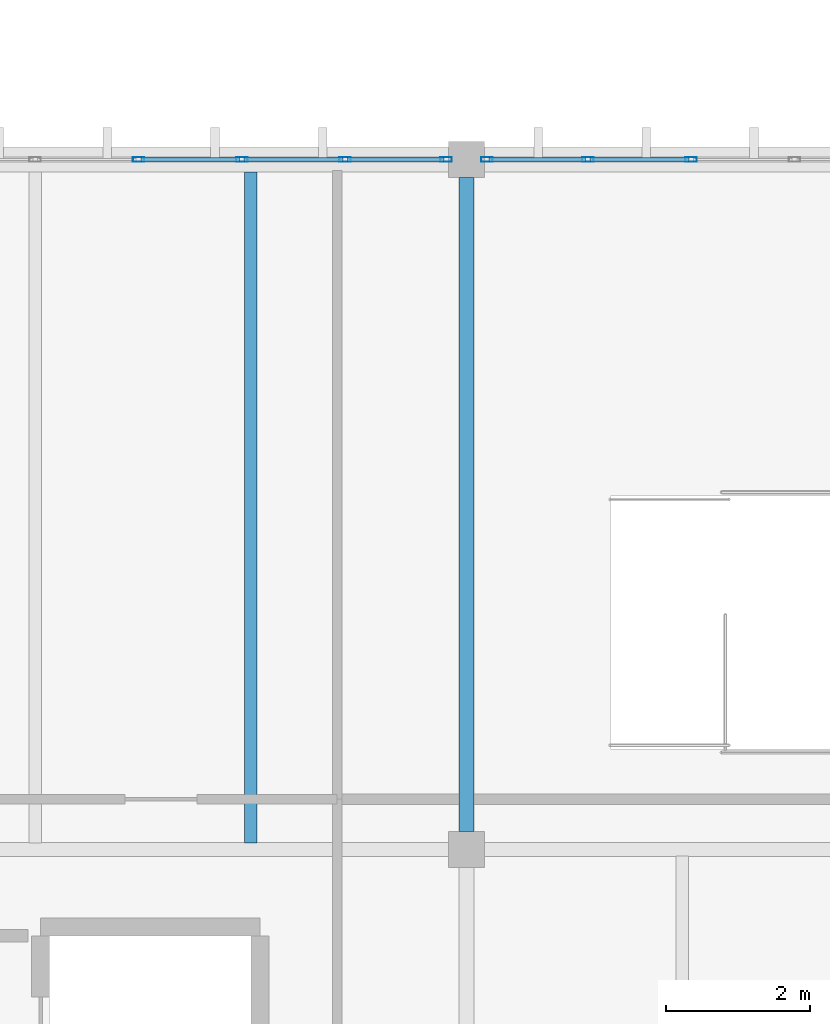
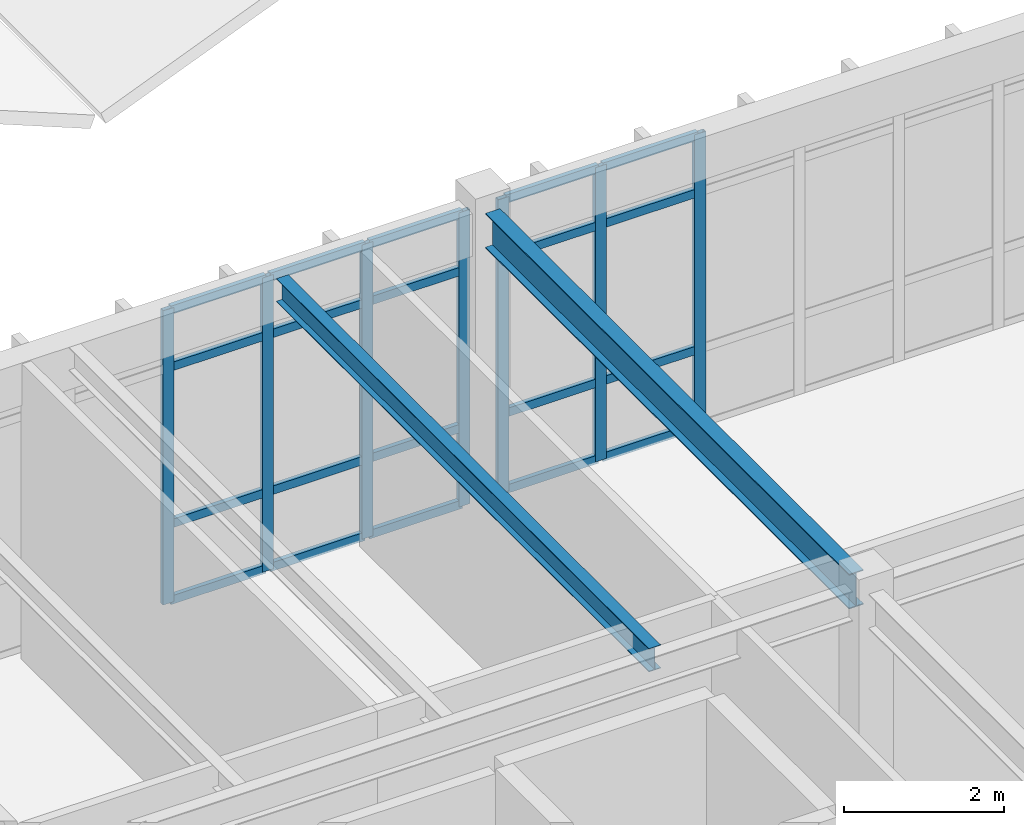
# One storey, part 19 of 236: 27 members, 2 beams, 2 elements without a shape of their own.
"""IFC4 building model written with IfcOpenShell, lengths in metres."""

import ifcopenshell
import ifcopenshell.guid

model = None  # the IFC model being written
_history = None  # IfcOwnerHistory: only IFC2X3 demands one
_inside = {}  # id of a spatial element -> (the spatial element, [elements in it])
_under = {}  # id of a project, library or spatial element -> (it, [spatial elements below it])
_declared = {}  # id of a project -> (the project, [libraries it declares])
_typed = {}  # id of a type object -> (the type object, [elements of that type])
_made_of = {}  # id of a material, layer set ... -> (it, [elements and type objects made of it])


def new_model(schema):
    """Start an empty IFC model of exactly this schema.

    Asked for "IFC4X3", IfcOpenShell would pick the latest addendum, in which some entities
    have other attributes; the version numbers below select the first issue.
    IFC2X3 requires an IfcOwnerHistory on every rooted entity: one is made here for all.
    """
    global model, _history
    if schema == "IFC4X3":
        model = ifcopenshell.file(schema_version=(4, 3, 0, 0))
    else:
        model = ifcopenshell.file(schema=schema)
    _inside.clear()
    _under.clear()
    _declared.clear()
    _typed.clear()
    _made_of.clear()
    _history = None
    if model.schema == "IFC2X3":
        org = make("IfcOrganization", Name="unknown")
        user = make(
            "IfcPersonAndOrganization",
            ThePerson=make("IfcPerson", FamilyName="unknown"),
            TheOrganization=org,
        )
        app = make(
            "IfcApplication",
            ApplicationDeveloper=org,
            Version="unknown",
            ApplicationFullName="unknown",
            ApplicationIdentifier="unknown",
        )
        _history = make(
            "IfcOwnerHistory",
            OwningUser=user,
            OwningApplication=app,
            ChangeAction="ADDED",
            CreationDate=0,
        )
    return model


def make(cls, **values):
    """One entity of the class cls with the attributes given. An attribute that is None is left unset."""
    return model.create_entity(
        cls, **{name: value for name, value in values.items() if value is not None}
    )


def rooted(cls, **values):
    """An entity with a GlobalId (a new one), such as an element, a storey or a relation."""
    return make(cls, GlobalId=ifcopenshell.guid.new(), OwnerHistory=_history, **values)


def si_unit(unit_type, name, prefix=None):
    """IfcSIUnit, for example si_unit("LENGTHUNIT", "METRE", prefix="MILLI")."""
    return make("IfcSIUnit", UnitType=unit_type, Prefix=prefix, Name=name)


def assignment(units):
    """IfcUnitAssignment: the units of a project."""
    return None if units is None else make("IfcUnitAssignment", Units=units)


def point(xyz):
    """IfcCartesianPoint."""
    return None if xyz is None else make("IfcCartesianPoint", Coordinates=xyz)


def direction(xyz):
    """IfcDirection."""
    return None if xyz is None else make("IfcDirection", DirectionRatios=xyz)


def frame(location, z_axis=None, x_axis=None):
    """IfcAxis2Placement3D, a coordinate frame: its origin and axes. An axis left out is left unset."""
    return make(
        "IfcAxis2Placement3D",
        Location=point(location),
        Axis=direction(z_axis),
        RefDirection=direction(x_axis),
    )


def frame_2d(location, x_axis=None):
    """IfcAxis2Placement2D, a coordinate frame in the plane: its origin and x axis."""
    return make(
        "IfcAxis2Placement2D", Location=point(location), RefDirection=direction(x_axis)
    )


def origin():
    """The frame at (0, 0, 0) with its axes left unset."""
    return frame((0.0, 0.0, 0.0))


def origin_2d():
    """The frame at (0, 0) in the plane with its x axis left unset."""
    return frame_2d((0.0, 0.0))


def place(relative_to, where):
    """IfcLocalPlacement: puts the frame where relative to a parent placement (None: the world)."""
    return make(
        "IfcLocalPlacement", PlacementRelTo=relative_to, RelativePlacement=where
    )


def context(
    kind, dimensions, precision=None, world=None, true_north=None, identifier=None
):
    """IfcGeometricRepresentationContext, for example the 3D "Model" context."""
    return make(
        "IfcGeometricRepresentationContext",
        ContextIdentifier=identifier,
        ContextType=kind,
        CoordinateSpaceDimension=dimensions,
        Precision=precision,
        WorldCoordinateSystem=world,
        TrueNorth=true_north,
    )


def subcontext(parent, identifier, kind, view, scale=None):
    """IfcGeometricRepresentationSubContext, for example "Body" below "Model"."""
    return make(
        "IfcGeometricRepresentationSubContext",
        ContextIdentifier=identifier,
        ContextType=kind,
        ParentContext=parent,
        TargetScale=scale,
        TargetView=view,
    )


def project(units=None, contexts=None):
    """IfcProject with its units and contexts."""
    return rooted(
        "IfcProject",
        Name="project",
        RepresentationContexts=contexts,
        UnitsInContext=assignment(units),
    )


def spatial(cls, under=None, at=None, **own):
    """A site, building, storey or space (cls), placed at a placement, below another one or the project."""
    s = rooted(cls, ObjectPlacement=at, **own)
    if under is not None:
        _under.setdefault(under.id(), (under, []))[1].append(s)
    return s


def profile(cls, at=None, kind="AREA", **sizes):
    """A parametric profile (cls). Its sizes go by their IFC names, for example OverallWidth=200.0."""
    return make(cls, ProfileType=kind, Position=at, **sizes)


def hollow_rectangle(**sizes):
    """IfcRectangleHollowProfileDef."""
    return profile("IfcRectangleHollowProfileDef", **sizes)


def i_section(**sizes):
    """IfcIShapeProfileDef."""
    return profile("IfcIShapeProfileDef", **sizes)


def extrude(swept, where, along, depth):
    """IfcExtrudedAreaSolid: the profile swept, set in the frame where, extruded along a direction by depth."""
    return make(
        "IfcExtrudedAreaSolid",
        SweptArea=swept,
        Position=where,
        ExtrudedDirection=direction(along),
        Depth=depth,
    )


def shape(context_of_items, identifier, shape_type, items):
    """IfcShapeRepresentation: the items that make up one representation, for example the "Body"."""
    return make(
        "IfcShapeRepresentation",
        ContextOfItems=context_of_items,
        RepresentationIdentifier=identifier,
        RepresentationType=shape_type,
        Items=items,
    )


def material(Name=None, Category=None):
    """IfcMaterial."""
    return make("IfcMaterial", Name=Name, Category=Category)


def layer(
    of_material, thickness, ventilated=None, Name=None, Category=None, Priority=None
):
    """IfcMaterialLayer: one layer of a wall or slab, of a material (None: an air gap)."""
    return make(
        "IfcMaterialLayer",
        Material=of_material,
        LayerThickness=thickness,
        IsVentilated=ventilated,
        Name=Name,
        Category=Category,
        Priority=Priority,
    )


def layer_set(layers, Name=None):
    """IfcMaterialLayerSet."""
    return make("IfcMaterialLayerSet", MaterialLayers=layers, LayerSetName=Name)


def material_profile(
    of_material, cross_section, Name=None, Category=None, Priority=None
):
    """IfcMaterialProfile: a cross section and its material."""
    return make(
        "IfcMaterialProfile",
        Name=Name,
        Material=of_material,
        Profile=cross_section,
        Priority=Priority,
        Category=Category,
    )


def profile_set(profiles, Name=None, composite=None):
    """IfcMaterialProfileSet."""
    return make(
        "IfcMaterialProfileSet",
        Name=Name,
        MaterialProfiles=profiles,
        CompositeProfile=composite,
    )


def made_of(thing, what):
    """Note that an element or type object is made of a material, layer set ...; save() writes the relation."""
    if what is not None:
        _made_of.setdefault(what.id(), (what, []))[1].append(thing)
    return thing


def type_object(cls, material=None, **own):
    """A type object (cls), such as IfcWallType, which elements share."""
    return made_of(rooted(cls, **own), material)


def element(
    cls,
    number,
    at=None,
    inside=None,
    cuts=None,
    type_object=None,
    material=None,
    context=None,
    identifier="Body",
    shape_type=None,
    held_by="IfcProductDefinitionShape",
    body=None,
    shapes=None,
    **own,
):
    """One element of the class cls, such as IfcWall. Its Tag is "e" and its number.

    at: its placement. inside: the storey or other place that contains it. cuts: it is an
    opening in that element (IfcRelVoidsElement). A single representation is given by context,
    identifier, shape_type and body (its items); several are given by shapes. held_by: the class
    of the entity that holds the representations. save() writes the other relations.
    """
    e = rooted(cls, Tag="e%d" % number, ObjectPlacement=at, **own)
    if body is not None:
        shapes = [shape(context, identifier, shape_type, body)]
    if shapes is not None:
        e.Representation = make(held_by, Representations=shapes)
    if inside is not None:
        _inside.setdefault(inside.id(), (inside, []))[1].append(e)
    if cuts is not None:
        rooted(
            "IfcRelVoidsElement", RelatingBuildingElement=cuts, RelatedOpeningElement=e
        )
    if type_object is not None:
        _typed.setdefault(type_object.id(), (type_object, []))[1].append(e)
    return made_of(e, material)


def aggregate(whole, parts):
    """IfcRelAggregates: a whole, such as a stair, and the parts it consists of."""
    return rooted("IfcRelAggregates", RelatingObject=whole, RelatedObjects=parts)


def save(model, path):
    """Write the relations noted so far, then the file.

    IfcRelAggregates (storeys below a building ...), IfcRelContainedInSpatialStructure (elements
    in a storey), IfcRelDefinesByType, IfcRelAssociatesMaterial and IfcRelDeclares: one each for
    every whole, place, type object, material and project.
    """
    for whole, parts in _under.values():
        aggregate(whole, parts)
    for where, things in _inside.values():
        rooted(
            "IfcRelContainedInSpatialStructure",
            RelatedElements=things,
            RelatingStructure=where,
        )
    for kind, things in _typed.values():
        rooted("IfcRelDefinesByType", RelatedObjects=things, RelatingType=kind)
    for what, things in _made_of.values():
        rooted("IfcRelAssociatesMaterial", RelatedObjects=things, RelatingMaterial=what)
    for by, libraries in _declared.values():
        rooted("IfcRelDeclares", RelatingContext=by, RelatedDefinitions=libraries)
    model.write(path)


model = new_model("IFC4")

# Units and contexts
model_context = context("Model", 3, precision=1e-05, world=origin(), true_north=direction((0.0, 1.0)))
body_context = subcontext(model_context, "Body", "Model", "MODEL_VIEW")
ifc_project = project(units=[si_unit("LENGTHUNIT", "METRE"), si_unit("AREAUNIT", "SQUARE_METRE"), si_unit("VOLUMEUNIT", "CUBIC_METRE"), si_unit("PLANEANGLEUNIT", "RADIAN"), si_unit("MASSUNIT", "GRAM", prefix="KILO")], contexts=[model_context])

# Site, building, storey
site_placement = place(None, origin())
site = spatial("IfcSite", under=ifc_project, at=site_placement, CompositionType="ELEMENT")
building_placement = place(site_placement, origin())
building = spatial("IfcBuilding", under=site, at=building_placement, Name="Pandanus Reach Market Hall", CompositionType="ELEMENT")
storey_placement = place(building_placement, frame((0.0, 0.0, 5.39990234375)))
storey = spatial("IfcBuildingStorey", under=building, at=storey_placement, Name="L01", CompositionType="ELEMENT", Elevation=5.39990234375)

# Beam
ifc_material_1 = material(Name="Steel Grade 350 (350 MPa)", Category="steel")
ifc_material_profile_1 = material_profile(ifc_material_1, i_section(OverallWidth=0.208984375, OverallDepth=0.532958984375, WebThickness=0.01025390625, FlangeThickness=0.015625, at=origin_2d()), Name="530UB92.4", Category="LoadBearing")
ifc_profile_set_1 = profile_set([ifc_material_profile_1], Name="Steel Grade 350 (350 MPa)")
beam_type_1 = type_object("IfcBeamType", Name="BM-UB530-I", PredefinedType="BEAM", material=ifc_profile_set_1)
beam_1_placement = place(storey_placement, frame((12.0, 19.447998046875, 4.268310546875), z_axis=(0.0, 1.0, 0.0), x_axis=(-1.0, 0.0, 0.0)))
element("IfcBeam", 1, at=beam_1_placement, inside=storey, type_object=beam_type_1, Name="Framing beam BM-UB530-I L01.983", PredefinedType="BEAM", context=body_context, shape_type="SweptSolid", body=[
    extrude(i_section(OverallWidth=0.208984375, OverallDepth=0.532958984375, WebThickness=0.01025390625, FlangeThickness=0.015625, at=origin_2d()), origin(), (0.0, 0.0, 1.0), 9.10400390625),
])

# Curtain wall, members
ifc_material_2 = material(Name="Bronze anodised aluminium and low-E glass", Category="aluminium")
ifc_layer = layer(ifc_material_2, 0.159912109375, Name="CW-17")
ifc_layer_set = layer_set([ifc_layer], Name="Bronze anodised aluminium and low-E glass")
curtain_wall_type = type_object("IfcCurtainWallType", Name="CW-17", PredefinedType="NOTDEFINED", material=ifc_layer_set)
curtain_wall_1_placement = place(storey_placement, origin())
curtain_wall_1 = element("IfcCurtainWall", 2, at=curtain_wall_1_placement, inside=storey, type_object=curtain_wall_type, Name="Glazed curtain wall CW-17 CW-0057", PredefinedType="NOTDEFINED")
ifc_material_3 = material(Name="Bronze anodised aluminium", Category="aluminium")
ifc_material_profile_2 = material_profile(ifc_material_3, hollow_rectangle(XDim=0.06494140625, YDim=0.159912109375, WallThickness=0.00390625, at=origin_2d()), Name="ALU65x160", Category="LoadBearing")
ifc_profile_set_2 = profile_set([ifc_material_profile_2], Name="Bronze anodised aluminium")
member_type_1 = type_object("IfcMemberType", Name="CW-M1", PredefinedType="MULLION", material=ifc_profile_set_2)
member_1_placement = place(storey_placement, frame((7.4375, 28.800048828125, 0.0), z_axis=(0.0, 0.0, 1.0), x_axis=(0.0, 1.0, 0.0)))
member_1 = element("IfcMember", 3, at=member_1_placement, type_object=member_type_1, Name="CW-17 mullion 6", PredefinedType="MULLION", context=body_context, shape_type="SweptSolid", body=[
    extrude(hollow_rectangle(XDim=0.06494140625, YDim=0.159912109375, WallThickness=0.00390625, at=origin_2d()), origin(), (0.0, 0.0, 1.0), 4.5),
])
member_2_placement = place(storey_placement, frame((8.875, 28.800048828125, 0.0), z_axis=(0.0, 0.0, 1.0), x_axis=(0.0, 1.0, 0.0)))
member_2 = element("IfcMember", 4, at=member_2_placement, type_object=member_type_1, Name="CW-17 mullion 7", PredefinedType="MULLION", context=body_context, shape_type="SweptSolid", body=[
    extrude(hollow_rectangle(XDim=0.06494140625, YDim=0.159912109375, WallThickness=0.00390625, at=origin_2d()), origin(), (0.0, 0.0, 1.0), 4.5),
])
member_3_placement = place(storey_placement, frame((10.3125, 28.800048828125, 0.0), z_axis=(0.0, 0.0, 1.0), x_axis=(0.0, 1.0, 0.0)))
member_3 = element("IfcMember", 5, at=member_3_placement, type_object=member_type_1, Name="CW-17 mullion 8", PredefinedType="MULLION", context=body_context, shape_type="SweptSolid", body=[
    extrude(hollow_rectangle(XDim=0.06494140625, YDim=0.159912109375, WallThickness=0.00390625, at=origin_2d()), origin(), (0.0, 0.0, 1.0), 4.5),
])
member_4_placement = place(storey_placement, frame((11.717529296875, 28.800048828125, 0.0), z_axis=(0.0, 0.0, 1.0), x_axis=(0.0, 1.0, 0.0)))
member_4 = element("IfcMember", 6, at=member_4_placement, type_object=member_type_1, Name="CW-17 mullion 9", PredefinedType="MULLION", context=body_context, shape_type="SweptSolid", body=[
    extrude(hollow_rectangle(XDim=0.06494140625, YDim=0.159912109375, WallThickness=0.00390625, at=origin_2d()), origin(), (0.0, 0.0, 1.0), 4.5),
])

curtain_wall_2_placement = place(storey_placement, origin())
curtain_wall_2 = element("IfcCurtainWall", 7, at=curtain_wall_2_placement, inside=storey, type_object=curtain_wall_type, Name="Glazed curtain wall CW-17 CW-0058", PredefinedType="NOTDEFINED")
member_5_placement = place(storey_placement, frame((12.282470703125, 28.800048828125, 0.0), z_axis=(0.0, 0.0, 1.0), x_axis=(0.0, 1.0, 0.0)))
member_5 = element("IfcMember", 8, at=member_5_placement, type_object=member_type_1, Name="CW-17 mullion 1", PredefinedType="MULLION", context=body_context, shape_type="SweptSolid", body=[
    extrude(hollow_rectangle(XDim=0.06494140625, YDim=0.159912109375, WallThickness=0.00390625, at=origin_2d()), origin(), (0.0, 0.0, 1.0), 4.5),
])
member_6_placement = place(storey_placement, frame((13.6875, 28.800048828125, 0.0), z_axis=(0.0, 0.0, 1.0), x_axis=(0.0, 1.0, 0.0)))
member_6 = element("IfcMember", 9, at=member_6_placement, type_object=member_type_1, Name="CW-17 mullion 2", PredefinedType="MULLION", context=body_context, shape_type="SweptSolid", body=[
    extrude(hollow_rectangle(XDim=0.06494140625, YDim=0.159912109375, WallThickness=0.00390625, at=origin_2d()), origin(), (0.0, 0.0, 1.0), 4.5),
])
member_7_placement = place(storey_placement, frame((15.125, 28.800048828125, 0.0), z_axis=(0.0, 0.0, 1.0), x_axis=(0.0, 1.0, 0.0)))
member_7 = element("IfcMember", 10, at=member_7_placement, type_object=member_type_1, Name="CW-17 mullion 3", PredefinedType="MULLION", context=body_context, shape_type="SweptSolid", body=[
    extrude(hollow_rectangle(XDim=0.06494140625, YDim=0.159912109375, WallThickness=0.00390625, at=origin_2d()), origin(), (0.0, 0.0, 1.0), 4.5),
])

# Member
ifc_material_profile_3 = material_profile(ifc_material_3, hollow_rectangle(XDim=0.06494140625, YDim=0.1298828125, WallThickness=0.00390625, at=origin_2d()), Name="ALU65x130", Category="LoadBearing")
ifc_profile_set_3 = profile_set([ifc_material_profile_3], Name="Bronze anodised aluminium")
member_type_2 = type_object("IfcMemberType", Name="CW-T1", PredefinedType="USERDEFINED", material=ifc_profile_set_3)
member_8_placement = place(storey_placement, frame((7.469970703125, 28.800048828125, 0.03271484375), z_axis=(1.0, 0.0, 0.0), x_axis=(0.0, 1.0, 0.0)))
member_8 = element("IfcMember", 11, at=member_8_placement, type_object=member_type_2, Name="CW-17 transom 6.1", ObjectType="TRANSOM", PredefinedType="USERDEFINED", context=body_context, shape_type="SweptSolid", body=[
    extrude(hollow_rectangle(XDim=0.06494140625, YDim=0.1298828125, WallThickness=0.00390625, at=origin_2d()), origin(), (0.0, 0.0, 1.0), 1.37255859375),
])

member_9_placement = place(storey_placement, frame((7.469970703125, 28.800048828125, 1.2001953125), z_axis=(1.0, 0.0, 0.0), x_axis=(0.0, 1.0, 0.0)))
member_9 = element("IfcMember", 12, at=member_9_placement, type_object=member_type_2, Name="CW-17 transom 6.2", ObjectType="TRANSOM", PredefinedType="USERDEFINED", context=body_context, shape_type="SweptSolid", body=[
    extrude(hollow_rectangle(XDim=0.06494140625, YDim=0.1298828125, WallThickness=0.00390625, at=origin_2d()), origin(), (0.0, 0.0, 1.0), 1.37255859375),
])

member_10_placement = place(storey_placement, frame((7.469970703125, 28.800048828125, 3.60009765625), z_axis=(1.0, 0.0, 0.0), x_axis=(0.0, 1.0, 0.0)))
member_10 = element("IfcMember", 13, at=member_10_placement, type_object=member_type_2, Name="CW-17 transom 6.3", ObjectType="TRANSOM", PredefinedType="USERDEFINED", context=body_context, shape_type="SweptSolid", body=[
    extrude(hollow_rectangle(XDim=0.06494140625, YDim=0.1298828125, WallThickness=0.00390625, at=origin_2d()), origin(), (0.0, 0.0, 1.0), 1.37255859375),
])

member_11_placement = place(storey_placement, frame((7.469970703125, 28.800048828125, 4.467529296875), z_axis=(1.0, 0.0, 0.0), x_axis=(0.0, 1.0, 0.0)))
member_11 = element("IfcMember", 14, at=member_11_placement, type_object=member_type_2, Name="CW-17 transom 6.4", ObjectType="TRANSOM", PredefinedType="USERDEFINED", context=body_context, shape_type="SweptSolid", body=[
    extrude(hollow_rectangle(XDim=0.06494140625, YDim=0.1298828125, WallThickness=0.00390625, at=origin_2d()), origin(), (0.0, 0.0, 1.0), 1.37255859375),
])

member_12_placement = place(storey_placement, frame((8.907470703125, 28.800048828125, 0.03271484375), z_axis=(1.0, 0.0, 0.0), x_axis=(0.0, 1.0, 0.0)))
member_12 = element("IfcMember", 15, at=member_12_placement, type_object=member_type_2, Name="CW-17 transom 7.1", ObjectType="TRANSOM", PredefinedType="USERDEFINED", context=body_context, shape_type="SweptSolid", body=[
    extrude(hollow_rectangle(XDim=0.06494140625, YDim=0.1298828125, WallThickness=0.00390625, at=origin_2d()), origin(), (0.0, 0.0, 1.0), 1.37255859375),
])

member_13_placement = place(storey_placement, frame((8.907470703125, 28.800048828125, 1.2001953125), z_axis=(1.0, 0.0, 0.0), x_axis=(0.0, 1.0, 0.0)))
member_13 = element("IfcMember", 16, at=member_13_placement, type_object=member_type_2, Name="CW-17 transom 7.2", ObjectType="TRANSOM", PredefinedType="USERDEFINED", context=body_context, shape_type="SweptSolid", body=[
    extrude(hollow_rectangle(XDim=0.06494140625, YDim=0.1298828125, WallThickness=0.00390625, at=origin_2d()), origin(), (0.0, 0.0, 1.0), 1.37255859375),
])

member_14_placement = place(storey_placement, frame((8.907470703125, 28.800048828125, 3.60009765625), z_axis=(1.0, 0.0, 0.0), x_axis=(0.0, 1.0, 0.0)))
member_14 = element("IfcMember", 17, at=member_14_placement, type_object=member_type_2, Name="CW-17 transom 7.3", ObjectType="TRANSOM", PredefinedType="USERDEFINED", context=body_context, shape_type="SweptSolid", body=[
    extrude(hollow_rectangle(XDim=0.06494140625, YDim=0.1298828125, WallThickness=0.00390625, at=origin_2d()), origin(), (0.0, 0.0, 1.0), 1.37255859375),
])

member_15_placement = place(storey_placement, frame((8.907470703125, 28.800048828125, 4.467529296875), z_axis=(1.0, 0.0, 0.0), x_axis=(0.0, 1.0, 0.0)))
member_15 = element("IfcMember", 18, at=member_15_placement, type_object=member_type_2, Name="CW-17 transom 7.4", ObjectType="TRANSOM", PredefinedType="USERDEFINED", context=body_context, shape_type="SweptSolid", body=[
    extrude(hollow_rectangle(XDim=0.06494140625, YDim=0.1298828125, WallThickness=0.00390625, at=origin_2d()), origin(), (0.0, 0.0, 1.0), 1.37255859375),
])

member_16_placement = place(storey_placement, frame((10.344970703125, 28.800048828125, 0.03271484375), z_axis=(1.0, 0.0, 0.0), x_axis=(0.0, 1.0, 0.0)))
member_16 = element("IfcMember", 19, at=member_16_placement, type_object=member_type_2, Name="CW-17 transom 8.1", ObjectType="TRANSOM", PredefinedType="USERDEFINED", context=body_context, shape_type="SweptSolid", body=[
    extrude(hollow_rectangle(XDim=0.06494140625, YDim=0.1298828125, WallThickness=0.00390625, at=origin_2d()), origin(), (0.0, 0.0, 1.0), 1.340087890625),
])

member_17_placement = place(storey_placement, frame((10.344970703125, 28.800048828125, 1.2001953125), z_axis=(1.0, 0.0, 0.0), x_axis=(0.0, 1.0, 0.0)))
member_17 = element("IfcMember", 20, at=member_17_placement, type_object=member_type_2, Name="CW-17 transom 8.2", ObjectType="TRANSOM", PredefinedType="USERDEFINED", context=body_context, shape_type="SweptSolid", body=[
    extrude(hollow_rectangle(XDim=0.06494140625, YDim=0.1298828125, WallThickness=0.00390625, at=origin_2d()), origin(), (0.0, 0.0, 1.0), 1.340087890625),
])

member_18_placement = place(storey_placement, frame((10.344970703125, 28.800048828125, 3.60009765625), z_axis=(1.0, 0.0, 0.0), x_axis=(0.0, 1.0, 0.0)))
member_18 = element("IfcMember", 21, at=member_18_placement, type_object=member_type_2, Name="CW-17 transom 8.3", ObjectType="TRANSOM", PredefinedType="USERDEFINED", context=body_context, shape_type="SweptSolid", body=[
    extrude(hollow_rectangle(XDim=0.06494140625, YDim=0.1298828125, WallThickness=0.00390625, at=origin_2d()), origin(), (0.0, 0.0, 1.0), 1.340087890625),
])

member_19_placement = place(storey_placement, frame((10.344970703125, 28.800048828125, 4.467529296875), z_axis=(1.0, 0.0, 0.0), x_axis=(0.0, 1.0, 0.0)))
member_19 = element("IfcMember", 22, at=member_19_placement, type_object=member_type_2, Name="CW-17 transom 8.4", ObjectType="TRANSOM", PredefinedType="USERDEFINED", context=body_context, shape_type="SweptSolid", body=[
    extrude(hollow_rectangle(XDim=0.06494140625, YDim=0.1298828125, WallThickness=0.00390625, at=origin_2d()), origin(), (0.0, 0.0, 1.0), 1.340087890625),
])

aggregate(curtain_wall_1, [member_1, member_2, member_3, member_4, member_8, member_9, member_10, member_11, member_12, member_13, member_14, member_15, member_16, member_17, member_18, member_19])

member_20_placement = place(storey_placement, frame((12.31494140625, 28.800048828125, 0.03271484375), z_axis=(1.0, 0.0, 0.0), x_axis=(0.0, 1.0, 0.0)))
member_20 = element("IfcMember", 23, at=member_20_placement, type_object=member_type_2, Name="CW-17 transom 1.1", ObjectType="TRANSOM", PredefinedType="USERDEFINED", context=body_context, shape_type="SweptSolid", body=[
    extrude(hollow_rectangle(XDim=0.06494140625, YDim=0.1298828125, WallThickness=0.00390625, at=origin_2d()), origin(), (0.0, 0.0, 1.0), 1.340087890625),
])

member_21_placement = place(storey_placement, frame((12.31494140625, 28.800048828125, 1.2001953125), z_axis=(1.0, 0.0, 0.0), x_axis=(0.0, 1.0, 0.0)))
member_21 = element("IfcMember", 24, at=member_21_placement, type_object=member_type_2, Name="CW-17 transom 1.2", ObjectType="TRANSOM", PredefinedType="USERDEFINED", context=body_context, shape_type="SweptSolid", body=[
    extrude(hollow_rectangle(XDim=0.06494140625, YDim=0.1298828125, WallThickness=0.00390625, at=origin_2d()), origin(), (0.0, 0.0, 1.0), 1.340087890625),
])

member_22_placement = place(storey_placement, frame((12.31494140625, 28.800048828125, 3.60009765625), z_axis=(1.0, 0.0, 0.0), x_axis=(0.0, 1.0, 0.0)))
member_22 = element("IfcMember", 25, at=member_22_placement, type_object=member_type_2, Name="CW-17 transom 1.3", ObjectType="TRANSOM", PredefinedType="USERDEFINED", context=body_context, shape_type="SweptSolid", body=[
    extrude(hollow_rectangle(XDim=0.06494140625, YDim=0.1298828125, WallThickness=0.00390625, at=origin_2d()), origin(), (0.0, 0.0, 1.0), 1.340087890625),
])

member_23_placement = place(storey_placement, frame((12.31494140625, 28.800048828125, 4.467529296875), z_axis=(1.0, 0.0, 0.0), x_axis=(0.0, 1.0, 0.0)))
member_23 = element("IfcMember", 26, at=member_23_placement, type_object=member_type_2, Name="CW-17 transom 1.4", ObjectType="TRANSOM", PredefinedType="USERDEFINED", context=body_context, shape_type="SweptSolid", body=[
    extrude(hollow_rectangle(XDim=0.06494140625, YDim=0.1298828125, WallThickness=0.00390625, at=origin_2d()), origin(), (0.0, 0.0, 1.0), 1.340087890625),
])

member_24_placement = place(storey_placement, frame((13.719970703125, 28.800048828125, 0.03271484375), z_axis=(1.0, 0.0, 0.0), x_axis=(0.0, 1.0, 0.0)))
member_24 = element("IfcMember", 27, at=member_24_placement, type_object=member_type_2, Name="CW-17 transom 2.1", ObjectType="TRANSOM", PredefinedType="USERDEFINED", context=body_context, shape_type="SweptSolid", body=[
    extrude(hollow_rectangle(XDim=0.06494140625, YDim=0.1298828125, WallThickness=0.00390625, at=origin_2d()), origin(), (0.0, 0.0, 1.0), 1.37255859375),
])

member_25_placement = place(storey_placement, frame((13.719970703125, 28.800048828125, 1.2001953125), z_axis=(1.0, 0.0, 0.0), x_axis=(0.0, 1.0, 0.0)))
member_25 = element("IfcMember", 28, at=member_25_placement, type_object=member_type_2, Name="CW-17 transom 2.2", ObjectType="TRANSOM", PredefinedType="USERDEFINED", context=body_context, shape_type="SweptSolid", body=[
    extrude(hollow_rectangle(XDim=0.06494140625, YDim=0.1298828125, WallThickness=0.00390625, at=origin_2d()), origin(), (0.0, 0.0, 1.0), 1.37255859375),
])

member_26_placement = place(storey_placement, frame((13.719970703125, 28.800048828125, 3.60009765625), z_axis=(1.0, 0.0, 0.0), x_axis=(0.0, 1.0, 0.0)))
member_26 = element("IfcMember", 29, at=member_26_placement, type_object=member_type_2, Name="CW-17 transom 2.3", ObjectType="TRANSOM", PredefinedType="USERDEFINED", context=body_context, shape_type="SweptSolid", body=[
    extrude(hollow_rectangle(XDim=0.06494140625, YDim=0.1298828125, WallThickness=0.00390625, at=origin_2d()), origin(), (0.0, 0.0, 1.0), 1.37255859375),
])

member_27_placement = place(storey_placement, frame((13.719970703125, 28.800048828125, 4.467529296875), z_axis=(1.0, 0.0, 0.0), x_axis=(0.0, 1.0, 0.0)))
member_27 = element("IfcMember", 30, at=member_27_placement, type_object=member_type_2, Name="CW-17 transom 2.4", ObjectType="TRANSOM", PredefinedType="USERDEFINED", context=body_context, shape_type="SweptSolid", body=[
    extrude(hollow_rectangle(XDim=0.06494140625, YDim=0.1298828125, WallThickness=0.00390625, at=origin_2d()), origin(), (0.0, 0.0, 1.0), 1.37255859375),
])

aggregate(curtain_wall_2, [member_5, member_6, member_7, member_20, member_21, member_22, member_23, member_24, member_25, member_26, member_27])

# Beam
ifc_material_profile_4 = material_profile(ifc_material_1, i_section(OverallWidth=0.1708984375, OverallDepth=0.35595703125, WebThickness=0.00732421875, FlangeThickness=0.011474609375, at=origin_2d()), Name="360UB50.7", Category="LoadBearing")
ifc_profile_set_4 = profile_set([ifc_material_profile_4], Name="Steel Grade 350 (350 MPa)")
beam_type_2 = type_object("IfcBeamType", Name="JS-UB360-I", PredefinedType="JOIST", material=ifc_profile_set_4)
beam_2_placement = place(storey_placement, frame((9.0, 19.29296875, 4.356689453125), z_axis=(0.0, 1.0, 0.0), x_axis=(-1.0, 0.0, 0.0)))
element("IfcBeam", 31, at=beam_2_placement, inside=storey, type_object=beam_type_2, Name="Secondary joist JS-UB360-I L01.995", PredefinedType="JOIST", context=body_context, shape_type="SweptSolid", body=[
    extrude(i_section(OverallWidth=0.1708984375, OverallDepth=0.35595703125, WebThickness=0.00732421875, FlangeThickness=0.011474609375, at=origin_2d()), origin(), (0.0, 0.0, 1.0), 9.333984375),
])

save(model, "model.ifc")
